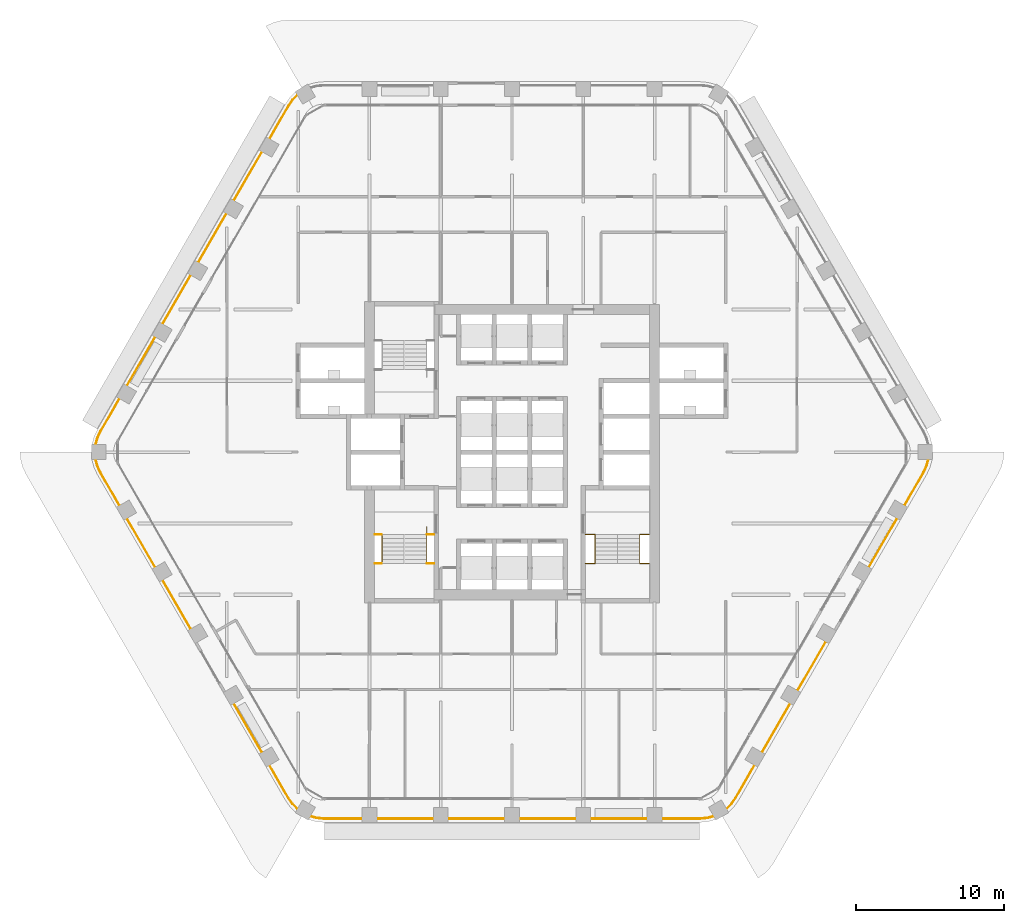
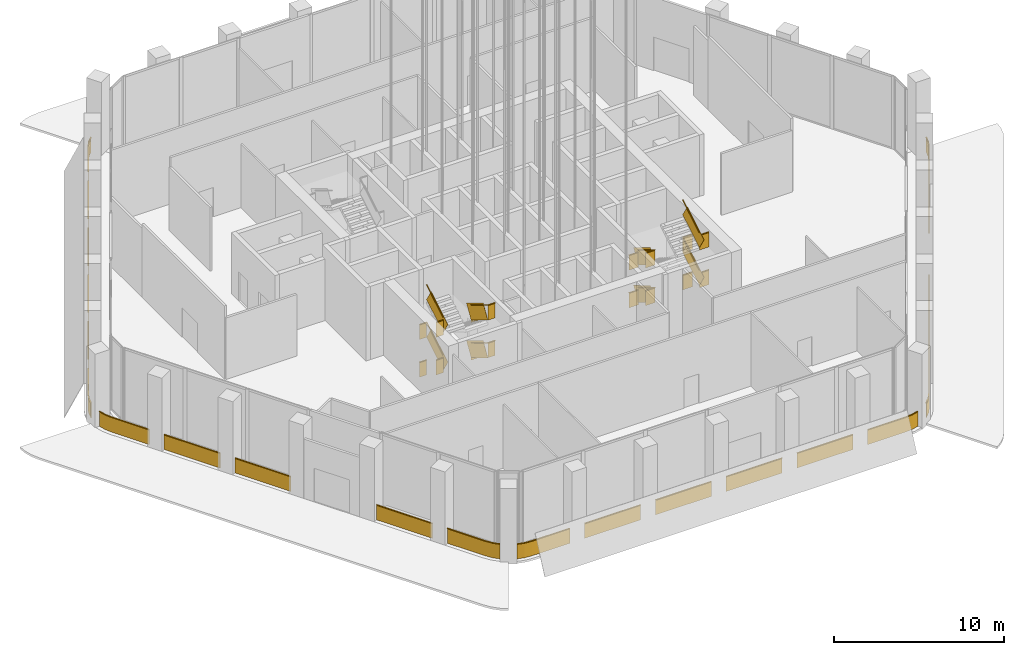
# One storey, part 40 of 42: 8 railings.
"""IFC4 building model written with IfcOpenShell, lengths in metres."""

from ifc_helpers import new_model, si_unit, direction, frame, frame_2d, origin, origin_2d, place, context, subcontext, project, spatial, rectangle, extrude, material, type_object, element, save


model = new_model("IFC4")

# Units and contexts
model_context = context("Model", 3, precision=1e-05, world=origin(), true_north=direction((0.0, 1.0)))
body_context = subcontext(model_context, "Body", "Model", "MODEL_VIEW")
ifc_project = project(units=[si_unit("LENGTHUNIT", "METRE"), si_unit("AREAUNIT", "SQUARE_METRE"), si_unit("VOLUMEUNIT", "CUBIC_METRE"), si_unit("PLANEANGLEUNIT", "RADIAN"), si_unit("MASSUNIT", "GRAM", prefix="KILO")], contexts=[model_context])

# Site, building, storey
site_placement = place(None, origin())
site = spatial("IfcSite", under=ifc_project, at=site_placement, CompositionType="ELEMENT")
building_placement = place(site_placement, origin())
building = spatial("IfcBuilding", under=site, at=building_placement, Name="Kolab Exchange Tower", CompositionType="ELEMENT")
storey_placement = place(building_placement, frame((0.0, 0.0, 133.39990234375)))
storey = spatial("IfcBuildingStorey", under=building, at=storey_placement, Name="L26", CompositionType="ELEMENT", Elevation=133.39990234375)

# Railings
ifc_material_1 = material(Name="Stainless steel 316", Category="steel")
railing_type_1 = type_object("IfcRailingType", Name="GUARD 1100", PredefinedType="GUARDRAIL", material=ifc_material_1)
railing_1_placement = place(storey_placement, frame((-9.25, -5.550048828125, 0.0)))
element("IfcRailing", 1, at=railing_1_placement, inside=storey, type_object=railing_type_1, Name="Guard ST3", PredefinedType="GUARDRAIL", context=body_context, shape_type="SweptSolid", body=[
    extrude(rectangle(XDim=0.05, YDim=0.05, at=origin_2d()), frame((0.0, 0.0, 1.0751953125), z_axis=(1.0, 0.0, 0.0), x_axis=(0.0, 1.0, 0.0)), (0.0, 0.0, 1.0), 0.489990234375),
    extrude(rectangle(XDim=0.012, YDim=1.05009765625, at=frame_2d((0.0, 0.525146484375))), frame((0.0, 0.0, 0.0), z_axis=(1.0, 0.0, 0.0), x_axis=(0.0, 1.0, 0.0)), (0.0, 0.0, 1.0), 0.489990234375),
    extrude(rectangle(XDim=0.05, YDim=0.05, at=origin_2d()), frame((3.510009765625, 0.0, 1.0751953125), z_axis=(1.0, 0.0, 0.0), x_axis=(0.0, 1.0, 0.0)), (0.0, 0.0, 1.0), 0.489990234375),
    extrude(rectangle(XDim=0.012, YDim=1.05009765625, at=frame_2d((0.0, 0.525146484375))), frame((3.510009765625, 0.0, 0.0), z_axis=(1.0, 0.0, 0.0), x_axis=(0.0, 1.0, 0.0)), (0.0, 0.0, 1.0), 0.489990234375),
    extrude(rectangle(XDim=0.05, YDim=0.05, at=origin_2d()), frame((0.0, -1.9599609375, 2.42529296875), z_axis=(1.0, 0.0, 0.0), x_axis=(0.0, 1.0, 0.0)), (0.0, 0.0, 1.0), 0.489990234375),
    extrude(rectangle(XDim=0.012, YDim=1.05009765625, at=frame_2d((0.0, 0.525146484375))), frame((0.0, -1.9599609375, 1.35009765625), z_axis=(1.0, 0.0, 0.0), x_axis=(0.0, 1.0, 0.0)), (0.0, 0.0, 1.0), 0.489990234375),
    extrude(rectangle(XDim=0.05, YDim=0.05, at=origin_2d()), frame((3.510009765625, -1.9599609375, 2.42529296875), z_axis=(1.0, 0.0, 0.0), x_axis=(0.0, 1.0, 0.0)), (0.0, 0.0, 1.0), 0.489990234375),
    extrude(rectangle(XDim=0.012, YDim=1.05009765625, at=frame_2d((0.0, 0.525146484375))), frame((3.510009765625, -1.9599609375, 1.35009765625), z_axis=(1.0, 0.0, 0.0), x_axis=(0.0, 1.0, 0.0)), (0.0, 0.0, 1.0), 0.489990234375),
    extrude(rectangle(XDim=0.05, YDim=0.05, at=origin_2d()), frame((0.0, 0.0, 3.775390625), z_axis=(1.0, 0.0, 0.0), x_axis=(0.0, 1.0, 0.0)), (0.0, 0.0, 1.0), 0.489990234375),
    extrude(rectangle(XDim=0.012, YDim=1.05009765625, at=frame_2d((0.0, 0.525146484375))), frame((0.0, 0.0, 2.7001953125), z_axis=(1.0, 0.0, 0.0), x_axis=(0.0, 1.0, 0.0)), (0.0, 0.0, 1.0), 0.489990234375),
    extrude(rectangle(XDim=0.05, YDim=0.05, at=origin_2d()), frame((3.510009765625, 0.0, 3.775390625), z_axis=(1.0, 0.0, 0.0), x_axis=(0.0, 1.0, 0.0)), (0.0, 0.0, 1.0), 0.489990234375),
    extrude(rectangle(XDim=0.012, YDim=1.05009765625, at=frame_2d((0.0, 0.525146484375))), frame((3.510009765625, 0.0, 2.7001953125), z_axis=(1.0, 0.0, 0.0), x_axis=(0.0, 1.0, 0.0)), (0.0, 0.0, 1.0), 0.489990234375),
    extrude(rectangle(XDim=0.05, YDim=0.05, at=origin_2d()), frame((0.0, -1.9599609375, 5.125244140625), z_axis=(1.0, 0.0, 0.0), x_axis=(0.0, 1.0, 0.0)), (0.0, 0.0, 1.0), 0.489990234375),
    extrude(rectangle(XDim=0.012, YDim=1.05009765625, at=frame_2d((0.0, 0.525146484375))), frame((0.0, -1.9599609375, 4.050048828125), z_axis=(1.0, 0.0, 0.0), x_axis=(0.0, 1.0, 0.0)), (0.0, 0.0, 1.0), 0.489990234375),
    extrude(rectangle(XDim=0.05, YDim=0.05, at=origin_2d()), frame((3.510009765625, -1.9599609375, 5.125244140625), z_axis=(1.0, 0.0, 0.0), x_axis=(0.0, 1.0, 0.0)), (0.0, 0.0, 1.0), 0.489990234375),
    extrude(rectangle(XDim=0.012, YDim=1.05009765625, at=frame_2d((0.0, 0.525146484375))), frame((3.510009765625, -1.9599609375, 4.050048828125), z_axis=(1.0, 0.0, 0.0), x_axis=(0.0, 1.0, 0.0)), (0.0, 0.0, 1.0), 0.489990234375),
])
railing_2_placement = place(storey_placement, frame((-5.739990234375, -5.550048828125, 0.168701171875)))
element("IfcRailing", 2, at=railing_2_placement, inside=storey, type_object=railing_type_1, Name="Handrail guard ST3", PredefinedType="GUARDRAIL", context=body_context, shape_type="SweptSolid", body=[
    extrude(rectangle(XDim=0.05, YDim=0.05, at=origin_2d()), frame((0.0, 0.0, 1.0751953125), z_axis=(0.0, -0.856446297458, 0.516236127728), x_axis=(1.0, 0.0, 0.0)), (0.0, 0.0, 1.0), 2.28857421875),
    extrude(rectangle(XDim=0.012, YDim=1.05009765625, at=frame_2d((0.0, 0.525146484375))), frame((0.0, 0.0, 0.0), z_axis=(0.0, -0.856446297458, 0.516236127728), x_axis=(1.0, 0.0, 0.0)), (0.0, 0.0, 1.0), 2.28857421875),
    extrude(rectangle(XDim=0.05, YDim=0.05, at=origin_2d()), frame((-3.02001953125, -1.9599609375, 2.42529296875), z_axis=(0.0, 0.856446297458, 0.516236127728), x_axis=(-1.0, 0.0, 0.0)), (0.0, 0.0, 1.0), 2.28857421875),
    extrude(rectangle(XDim=0.012, YDim=1.05009765625, at=frame_2d((0.0, 0.525146484375))), frame((-3.02001953125, -1.9599609375, 1.35009765625), z_axis=(0.0, 0.856446297458, 0.516236127728), x_axis=(-1.0, 0.0, 0.0)), (0.0, 0.0, 1.0), 2.28857421875),
    extrude(rectangle(XDim=0.05, YDim=0.05, at=origin_2d()), frame((0.0, 0.0, 3.775390625), z_axis=(0.0, -0.856493463811, 0.516157869696), x_axis=(1.0, 0.0, 0.0)), (0.0, 0.0, 1.0), 2.288330078125),
    extrude(rectangle(XDim=0.012, YDim=1.05009765625, at=frame_2d((0.0, 0.525146484375))), frame((0.0, 0.0, 2.7001953125), z_axis=(0.0, -0.856493463811, 0.516157869696), x_axis=(1.0, 0.0, 0.0)), (0.0, 0.0, 1.0), 2.288330078125),
    extrude(rectangle(XDim=0.05, YDim=0.05, at=origin_2d()), frame((-3.02001953125, -1.9599609375, 5.125244140625), z_axis=(0.0, 0.856446297458, 0.516236127728), x_axis=(-1.0, 0.0, 0.0)), (0.0, 0.0, 1.0), 2.28857421875),
    extrude(rectangle(XDim=0.012, YDim=1.05009765625, at=frame_2d((0.0, 0.525146484375))), frame((-3.02001953125, -1.9599609375, 4.050048828125), z_axis=(0.0, 0.856446297458, 0.516236127728), x_axis=(-1.0, 0.0, 0.0)), (0.0, 0.0, 1.0), 2.28857421875),
])
railing_3_placement = place(storey_placement, frame((4.949951171875, -5.550048828125, 0.0)))
element("IfcRailing", 3, at=railing_3_placement, inside=storey, type_object=railing_type_1, Name="Guard ST2", PredefinedType="GUARDRAIL", context=body_context, shape_type="SweptSolid", body=[
    extrude(rectangle(XDim=0.05, YDim=0.05, at=origin_2d()), frame((0.0, 0.0, 1.0751953125), z_axis=(1.0, 0.0, 0.0), x_axis=(0.0, 1.0, 0.0)), (0.0, 0.0, 1.0), 0.64013671875),
    extrude(rectangle(XDim=0.012, YDim=1.05009765625, at=frame_2d((0.0, 0.525146484375))), frame((0.0, 0.0, 0.0), z_axis=(1.0, 0.0, 0.0), x_axis=(0.0, 1.0, 0.0)), (0.0, 0.0, 1.0), 0.64013671875),
    extrude(rectangle(XDim=0.05, YDim=0.05, at=origin_2d()), frame((3.66015625, 0.0, 1.0751953125), z_axis=(1.0, 0.0, 0.0), x_axis=(0.0, 1.0, 0.0)), (0.0, 0.0, 1.0), 0.639892578125),
    extrude(rectangle(XDim=0.012, YDim=1.05009765625, at=frame_2d((0.0, 0.525146484375))), frame((3.66015625, 0.0, 0.0), z_axis=(1.0, 0.0, 0.0), x_axis=(0.0, 1.0, 0.0)), (0.0, 0.0, 1.0), 0.639892578125),
    extrude(rectangle(XDim=0.05, YDim=0.05, at=origin_2d()), frame((0.0, -1.9599609375, 2.42529296875), z_axis=(1.0, 0.0, 0.0), x_axis=(0.0, 1.0, 0.0)), (0.0, 0.0, 1.0), 0.64013671875),
    extrude(rectangle(XDim=0.012, YDim=1.05009765625, at=frame_2d((0.0, 0.525146484375))), frame((0.0, -1.9599609375, 1.35009765625), z_axis=(1.0, 0.0, 0.0), x_axis=(0.0, 1.0, 0.0)), (0.0, 0.0, 1.0), 0.64013671875),
    extrude(rectangle(XDim=0.05, YDim=0.05, at=origin_2d()), frame((3.66015625, -1.9599609375, 2.42529296875), z_axis=(1.0, 0.0, 0.0), x_axis=(0.0, 1.0, 0.0)), (0.0, 0.0, 1.0), 0.639892578125),
    extrude(rectangle(XDim=0.012, YDim=1.05009765625, at=frame_2d((0.0, 0.525146484375))), frame((3.66015625, -1.9599609375, 1.35009765625), z_axis=(1.0, 0.0, 0.0), x_axis=(0.0, 1.0, 0.0)), (0.0, 0.0, 1.0), 0.639892578125),
    extrude(rectangle(XDim=0.05, YDim=0.05, at=origin_2d()), frame((0.0, 0.0, 3.775390625), z_axis=(1.0, 0.0, 0.0), x_axis=(0.0, 1.0, 0.0)), (0.0, 0.0, 1.0), 0.64013671875),
    extrude(rectangle(XDim=0.012, YDim=1.05009765625, at=frame_2d((0.0, 0.525146484375))), frame((0.0, 0.0, 2.7001953125), z_axis=(1.0, 0.0, 0.0), x_axis=(0.0, 1.0, 0.0)), (0.0, 0.0, 1.0), 0.64013671875),
    extrude(rectangle(XDim=0.05, YDim=0.05, at=origin_2d()), frame((3.66015625, 0.0, 3.775390625), z_axis=(1.0, 0.0, 0.0), x_axis=(0.0, 1.0, 0.0)), (0.0, 0.0, 1.0), 0.639892578125),
    extrude(rectangle(XDim=0.012, YDim=1.05009765625, at=frame_2d((0.0, 0.525146484375))), frame((3.66015625, 0.0, 2.7001953125), z_axis=(1.0, 0.0, 0.0), x_axis=(0.0, 1.0, 0.0)), (0.0, 0.0, 1.0), 0.639892578125),
    extrude(rectangle(XDim=0.05, YDim=0.05, at=origin_2d()), frame((0.0, -1.9599609375, 5.125244140625), z_axis=(1.0, 0.0, 0.0), x_axis=(0.0, 1.0, 0.0)), (0.0, 0.0, 1.0), 0.64013671875),
    extrude(rectangle(XDim=0.012, YDim=1.05009765625, at=frame_2d((0.0, 0.525146484375))), frame((0.0, -1.9599609375, 4.050048828125), z_axis=(1.0, 0.0, 0.0), x_axis=(0.0, 1.0, 0.0)), (0.0, 0.0, 1.0), 0.64013671875),
    extrude(rectangle(XDim=0.05, YDim=0.05, at=origin_2d()), frame((3.66015625, -1.9599609375, 5.125244140625), z_axis=(1.0, 0.0, 0.0), x_axis=(0.0, 1.0, 0.0)), (0.0, 0.0, 1.0), 0.639892578125),
    extrude(rectangle(XDim=0.012, YDim=1.05009765625, at=frame_2d((0.0, 0.525146484375))), frame((3.66015625, -1.9599609375, 4.050048828125), z_axis=(1.0, 0.0, 0.0), x_axis=(0.0, 1.0, 0.0)), (0.0, 0.0, 1.0), 0.639892578125),
])
railing_4_placement = place(storey_placement, frame((5.590087890625, -5.550048828125, 0.168701171875)))
element("IfcRailing", 4, at=railing_4_placement, inside=storey, type_object=railing_type_1, Name="Handrail guard ST2", PredefinedType="GUARDRAIL", context=body_context, shape_type="SweptSolid", body=[
    extrude(rectangle(XDim=0.05, YDim=0.05, at=origin_2d()), frame((0.0, 0.0, 1.0751953125), z_axis=(0.0, -0.856446297458, 0.516236127728), x_axis=(1.0, 0.0, 0.0)), (0.0, 0.0, 1.0), 2.28857421875),
    extrude(rectangle(XDim=0.012, YDim=1.05009765625, at=frame_2d((0.0, 0.525146484375))), frame((0.0, 0.0, 0.0), z_axis=(0.0, -0.856446297458, 0.516236127728), x_axis=(1.0, 0.0, 0.0)), (0.0, 0.0, 1.0), 2.28857421875),
    extrude(rectangle(XDim=0.05, YDim=0.05, at=origin_2d()), frame((3.02001953125, -1.9599609375, 2.42529296875), z_axis=(0.0, 0.856446297458, 0.516236127728), x_axis=(-1.0, 0.0, 0.0)), (0.0, 0.0, 1.0), 2.28857421875),
    extrude(rectangle(XDim=0.012, YDim=1.05009765625, at=frame_2d((0.0, 0.525146484375))), frame((3.02001953125, -1.9599609375, 1.35009765625), z_axis=(0.0, 0.856446297458, 0.516236127728), x_axis=(-1.0, 0.0, 0.0)), (0.0, 0.0, 1.0), 2.28857421875),
    extrude(rectangle(XDim=0.05, YDim=0.05, at=origin_2d()), frame((0.0, 0.0, 3.775390625), z_axis=(0.0, -0.856493463811, 0.516157869696), x_axis=(1.0, 0.0, 0.0)), (0.0, 0.0, 1.0), 2.288330078125),
    extrude(rectangle(XDim=0.012, YDim=1.05009765625, at=frame_2d((0.0, 0.525146484375))), frame((0.0, 0.0, 2.7001953125), z_axis=(0.0, -0.856493463811, 0.516157869696), x_axis=(1.0, 0.0, 0.0)), (0.0, 0.0, 1.0), 2.288330078125),
    extrude(rectangle(XDim=0.05, YDim=0.05, at=origin_2d()), frame((3.02001953125, -1.9599609375, 5.125244140625), z_axis=(0.0, 0.856446297458, 0.516236127728), x_axis=(-1.0, 0.0, 0.0)), (0.0, 0.0, 1.0), 2.28857421875),
    extrude(rectangle(XDim=0.012, YDim=1.05009765625, at=frame_2d((0.0, 0.525146484375))), frame((3.02001953125, -1.9599609375, 4.050048828125), z_axis=(0.0, 0.856446297458, 0.516236127728), x_axis=(-1.0, 0.0, 0.0)), (0.0, 0.0, 1.0), 2.28857421875),
])
ifc_material_2 = material(Name="Steel S235", Category="steel")
railing_type_2 = type_object("IfcRailingType", Name="GUARD 1100 GLASS BALUSTRADE AND STEEL TOP RAIL", PredefinedType="GUARDRAIL", material=ifc_material_2)
railing_5_placement = place(storey_placement, frame((14.4501953125, -24.033447265625, 0.0)))
element("IfcRailing", 5, at=railing_5_placement, inside=storey, type_object=railing_type_2, Name="Guard", PredefinedType="GUARDRAIL", context=body_context, shape_type="SweptSolid", body=[
    extrude(rectangle(XDim=0.05, YDim=0.05, at=origin_2d()), frame((0.0, 0.0, 1.0751953125), z_axis=(0.70737286085, 0.706840601361, 0.0), x_axis=(-0.706840601361, 0.70737286085, 0.0)), (0.0, 0.0, 1.0), 0.458740234375),
    extrude(rectangle(XDim=0.012, YDim=1.05009765625, at=frame_2d((0.0, 0.525146484375))), frame((0.0, 0.0, 0.0), z_axis=(0.70737286085, 0.706840601361, 0.0), x_axis=(-0.706840601361, 0.70737286085, 0.0)), (0.0, 0.0, 1.0), 0.458740234375),
    extrude(rectangle(XDim=0.05, YDim=0.05, at=origin_2d()), frame((0.324462890625, 0.32421875, 1.0751953125), z_axis=(0.573599091554, 0.819136180478, 0.0), x_axis=(-0.819136180478, 0.573599091554, 0.0)), (0.0, 0.0, 1.0), 0.479248046875),
    extrude(rectangle(XDim=0.012, YDim=1.05009765625, at=frame_2d((0.0, 0.525146484375))), frame((0.324462890625, 0.32421875, 0.0), z_axis=(0.573599091554, 0.819136180478, 0.0), x_axis=(-0.819136180478, 0.573599091554, 0.0)), (0.0, 0.0, 1.0), 0.479248046875),
    extrude(rectangle(XDim=0.05, YDim=0.05, at=origin_2d()), frame((0.599365234375, 0.716796875, 1.0751953125), z_axis=(0.499952873616, 0.866052610505, 0.0), x_axis=(-0.866052610505, 0.499952873616, 0.0)), (0.0, 0.0, 1.0), 2.568115234375),
    extrude(rectangle(XDim=0.012, YDim=1.05009765625, at=frame_2d((0.0, 0.525146484375))), frame((0.599365234375, 0.716796875, 0.0), z_axis=(0.499952873616, 0.866052610505, 0.0), x_axis=(-0.866052610505, 0.499952873616, 0.0)), (0.0, 0.0, 1.0), 2.568115234375),
    extrude(rectangle(XDim=0.05, YDim=0.05, at=origin_2d()), frame((2.38330078125, 3.806884765625, 1.0751953125), z_axis=(0.499994975061, 0.866028304915, 0.0), x_axis=(-0.866028304915, 0.499994975061, 0.0)), (0.0, 0.0, 1.0), 3.7998046875),
    extrude(rectangle(XDim=0.012, YDim=1.05009765625, at=frame_2d((0.0, 0.525146484375))), frame((2.38330078125, 3.806884765625, 0.0), z_axis=(0.499994975061, 0.866028304915, 0.0), x_axis=(-0.866028304915, 0.499994975061, 0.0)), (0.0, 0.0, 1.0), 3.7998046875),
    extrude(rectangle(XDim=0.05, YDim=0.05, at=origin_2d()), frame((4.783203125, 7.9638671875, 1.0751953125), z_axis=(0.500043160704, 0.866000483506, 0.0), x_axis=(-0.866000483506, 0.500043160704, 0.0)), (0.0, 0.0, 1.0), 3.800048828125),
    extrude(rectangle(XDim=0.012, YDim=1.05009765625, at=frame_2d((0.0, 0.525146484375))), frame((4.783203125, 7.9638671875, 0.0), z_axis=(0.500043160704, 0.866000483506, 0.0), x_axis=(-0.866000483506, 0.500043160704, 0.0)), (0.0, 0.0, 1.0), 3.800048828125),
    extrude(rectangle(XDim=0.05, YDim=0.05, at=origin_2d()), frame((9.583251953125, 16.277587890625, 1.0751953125), z_axis=(0.500015340139, 0.86601654697, 0.0), x_axis=(-0.86601654697, 0.500015340139, 0.0)), (0.0, 0.0, 1.0), 3.80029296875),
    extrude(rectangle(XDim=0.012, YDim=1.05009765625, at=frame_2d((0.0, 0.525146484375))), frame((9.583251953125, 16.277587890625, 0.0), z_axis=(0.500015340139, 0.86601654697, 0.0), x_axis=(-0.86601654697, 0.500015340139, 0.0)), (0.0, 0.0, 1.0), 3.80029296875),
    extrude(rectangle(XDim=0.05, YDim=0.05, at=origin_2d()), frame((11.9833984375, 20.4345703125, 1.0751953125), z_axis=(0.499994038704, 0.866028845513, 0.0), x_axis=(-0.866028845513, 0.499994038704, 0.0)), (0.0, 0.0, 1.0), 2.56787109375),
    extrude(rectangle(XDim=0.012, YDim=1.05009765625, at=frame_2d((0.0, 0.525146484375))), frame((11.9833984375, 20.4345703125, 0.0), z_axis=(0.499994038704, 0.866028845513, 0.0), x_axis=(-0.866028845513, 0.499994038704, 0.0)), (0.0, 0.0, 1.0), 2.56787109375),
    extrude(rectangle(XDim=0.05, YDim=0.05, at=origin_2d()), frame((13.267333984375, 22.658447265625, 1.0751953125), z_axis=(0.422801802984, 0.906222177721, 0.0), x_axis=(-0.906222177721, 0.422801802984, 0.0)), (0.0, 0.0, 1.0), 0.479248046875),
    extrude(rectangle(XDim=0.012, YDim=1.05009765625, at=frame_2d((0.0, 0.525146484375))), frame((13.267333984375, 22.658447265625, 0.0), z_axis=(0.422801802984, 0.906222177721, 0.0), x_axis=(-0.906222177721, 0.422801802984, 0.0)), (0.0, 0.0, 1.0), 0.479248046875),
    extrude(rectangle(XDim=0.05, YDim=0.05, at=origin_2d()), frame((13.469970703125, 23.0927734375, 1.0751953125), z_axis=(0.25865627591, 0.965969425465, 0.0), x_axis=(-0.965969425465, 0.25865627591, 0.0)), (0.0, 0.0, 1.0), 0.458740234375),
    extrude(rectangle(XDim=0.012, YDim=1.05009765625, at=frame_2d((0.0, 0.525146484375))), frame((13.469970703125, 23.0927734375, 0.0), z_axis=(0.25865627591, 0.965969425465, 0.0), x_axis=(-0.965969425465, 0.25865627591, 0.0)), (0.0, 0.0, 1.0), 0.458740234375),
])
railing_6_placement = place(storey_placement, frame((-13.588623046875, -24.531005859375, 0.0)))
element("IfcRailing", 6, at=railing_6_placement, inside=storey, type_object=railing_type_2, Name="Guard", PredefinedType="GUARDRAIL", context=body_context, shape_type="SweptSolid", body=[
    extrude(rectangle(XDim=0.05, YDim=0.05, at=origin_2d()), frame((0.0, 0.0, 1.0751953125), z_axis=(0.965969425465, -0.25865627591, 0.0), x_axis=(0.25865627591, 0.965969425465, 0.0)), (0.0, 0.0, 1.0), 0.458740234375),
    extrude(rectangle(XDim=0.012, YDim=1.05009765625, at=frame_2d((0.0, 0.525146484375))), frame((0.0, 0.0, 0.0), z_axis=(0.965969425465, -0.25865627591, 0.0), x_axis=(0.25865627591, 0.965969425465, 0.0)), (0.0, 0.0, 1.0), 0.458740234375),
    extrude(rectangle(XDim=0.05, YDim=0.05, at=origin_2d()), frame((0.443115234375, -0.11865234375, 1.0751953125), z_axis=(0.996156034798, -0.087596542937, 0.0), x_axis=(0.087596542937, 0.996156034798, 0.0)), (0.0, 0.0, 1.0), 0.4794921875),
    extrude(rectangle(XDim=0.012, YDim=1.05009765625, at=frame_2d((0.0, 0.525146484375))), frame((0.443115234375, -0.11865234375, 0.0), z_axis=(0.996156034798, -0.087596542937, 0.0), x_axis=(0.087596542937, 0.996156034798, 0.0)), (0.0, 0.0, 1.0), 0.4794921875),
    extrude(rectangle(XDim=0.05, YDim=0.05, at=origin_2d()), frame((0.920654296875, -0.16064453125, 1.0751953125), z_axis=(1.0, 0.0, 0.0), x_axis=(0.0, 1.0, 0.0)), (0.0, 0.0, 1.0), 2.56787109375),
    extrude(rectangle(XDim=0.012, YDim=1.05009765625, at=frame_2d((0.0, 0.525146484375))), frame((0.920654296875, -0.16064453125, 0.0), z_axis=(1.0, 0.0, 0.0), x_axis=(0.0, 1.0, 0.0)), (0.0, 0.0, 1.0), 2.56787109375),
    extrude(rectangle(XDim=0.05, YDim=0.05, at=origin_2d()), frame((4.488525390625, -0.16064453125, 1.0751953125), z_axis=(1.0, 0.0, 0.0), x_axis=(0.0, 1.0, 0.0)), (0.0, 0.0, 1.0), 3.800048828125),
    extrude(rectangle(XDim=0.012, YDim=1.05009765625, at=frame_2d((0.0, 0.525146484375))), frame((4.488525390625, -0.16064453125, 0.0), z_axis=(1.0, 0.0, 0.0), x_axis=(0.0, 1.0, 0.0)), (0.0, 0.0, 1.0), 3.800048828125),
    extrude(rectangle(XDim=0.05, YDim=0.05, at=origin_2d()), frame((9.28857421875, -0.16064453125, 1.0751953125), z_axis=(1.0, 0.0, 0.0), x_axis=(0.0, 1.0, 0.0)), (0.0, 0.0, 1.0), 3.800048828125),
    extrude(rectangle(XDim=0.012, YDim=1.05009765625, at=frame_2d((0.0, 0.525146484375))), frame((9.28857421875, -0.16064453125, 0.0), z_axis=(1.0, 0.0, 0.0), x_axis=(0.0, 1.0, 0.0)), (0.0, 0.0, 1.0), 3.800048828125),
    extrude(rectangle(XDim=0.05, YDim=0.05, at=origin_2d()), frame((14.088623046875, -0.16064453125, 1.0751953125), z_axis=(1.0, 0.0, 0.0), x_axis=(0.0, 1.0, 0.0)), (0.0, 0.0, 1.0), 3.800048828125),
    extrude(rectangle(XDim=0.012, YDim=1.05009765625, at=frame_2d((0.0, 0.525146484375))), frame((14.088623046875, -0.16064453125, 0.0), z_axis=(1.0, 0.0, 0.0), x_axis=(0.0, 1.0, 0.0)), (0.0, 0.0, 1.0), 3.800048828125),
    extrude(rectangle(XDim=0.05, YDim=0.05, at=origin_2d()), frame((18.888671875, -0.16064453125, 1.0751953125), z_axis=(1.0, 0.0, 0.0), x_axis=(0.0, 1.0, 0.0)), (0.0, 0.0, 1.0), 3.800048828125),
    extrude(rectangle(XDim=0.012, YDim=1.05009765625, at=frame_2d((0.0, 0.525146484375))), frame((18.888671875, -0.16064453125, 0.0), z_axis=(1.0, 0.0, 0.0), x_axis=(0.0, 1.0, 0.0)), (0.0, 0.0, 1.0), 3.800048828125),
    extrude(rectangle(XDim=0.05, YDim=0.05, at=origin_2d()), frame((23.688720703125, -0.16064453125, 1.0751953125), z_axis=(1.0, 0.0, 0.0), x_axis=(0.0, 1.0, 0.0)), (0.0, 0.0, 1.0), 2.56787109375),
    extrude(rectangle(XDim=0.012, YDim=1.05009765625, at=frame_2d((0.0, 0.525146484375))), frame((23.688720703125, -0.16064453125, 0.0), z_axis=(1.0, 0.0, 0.0), x_axis=(0.0, 1.0, 0.0)), (0.0, 0.0, 1.0), 2.56787109375),
    extrude(rectangle(XDim=0.05, YDim=0.05, at=origin_2d()), frame((26.256591796875, -0.16064453125, 1.0751953125), z_axis=(0.996156034798, 0.087596542937, 0.0), x_axis=(-0.087596542937, 0.996156034798, 0.0)), (0.0, 0.0, 1.0), 0.4794921875),
    extrude(rectangle(XDim=0.012, YDim=1.05009765625, at=frame_2d((0.0, 0.525146484375))), frame((26.256591796875, -0.16064453125, 0.0), z_axis=(0.996156034798, 0.087596542937, 0.0), x_axis=(-0.087596542937, 0.996156034798, 0.0)), (0.0, 0.0, 1.0), 0.4794921875),
    extrude(rectangle(XDim=0.05, YDim=0.05, at=origin_2d()), frame((26.734130859375, -0.11865234375, 1.0751953125), z_axis=(0.965969425465, 0.25865627591, 0.0), x_axis=(-0.25865627591, 0.965969425465, 0.0)), (0.0, 0.0, 1.0), 0.458740234375),
    extrude(rectangle(XDim=0.012, YDim=1.05009765625, at=frame_2d((0.0, 0.525146484375))), frame((26.734130859375, -0.11865234375, 0.0), z_axis=(0.965969425465, 0.25865627591, 0.0), x_axis=(-0.25865627591, 0.965969425465, 0.0)), (0.0, 0.0, 1.0), 0.458740234375),
])
railing_7_placement = place(storey_placement, frame((-28.038818359375, -0.49755859375, 0.0)))
element("IfcRailing", 7, at=railing_7_placement, inside=storey, type_object=railing_type_2, Name="Guard", PredefinedType="GUARDRAIL", context=body_context, shape_type="SweptSolid", body=[
    extrude(rectangle(XDim=0.05, YDim=0.05, at=origin_2d()), frame((0.0, 0.0, 1.0751953125), z_axis=(0.25865627591, -0.965969425465, 0.0), x_axis=(0.965969425465, 0.25865627591, 0.0)), (0.0, 0.0, 1.0), 0.458740234375),
    extrude(rectangle(XDim=0.012, YDim=1.05009765625, at=frame_2d((0.0, 0.525146484375))), frame((0.0, 0.0, 0.0), z_axis=(0.25865627591, -0.965969425465, 0.0), x_axis=(0.965969425465, 0.25865627591, 0.0)), (0.0, 0.0, 1.0), 0.458740234375),
    extrude(rectangle(XDim=0.05, YDim=0.05, at=origin_2d()), frame((0.11865234375, -0.443115234375, 1.0751953125), z_axis=(0.422801802984, -0.906222177721, 0.0), x_axis=(0.906222177721, 0.422801802984, 0.0)), (0.0, 0.0, 1.0), 0.479248046875),
    extrude(rectangle(XDim=0.012, YDim=1.05009765625, at=frame_2d((0.0, 0.525146484375))), frame((0.11865234375, -0.443115234375, 0.0), z_axis=(0.422801802984, -0.906222177721, 0.0), x_axis=(0.906222177721, 0.422801802984, 0.0)), (0.0, 0.0, 1.0), 0.479248046875),
    extrude(rectangle(XDim=0.05, YDim=0.05, at=origin_2d()), frame((0.3212890625, -0.87744140625, 1.0751953125), z_axis=(0.499994038704, -0.866028845513, 0.0), x_axis=(0.866028845513, 0.499994038704, 0.0)), (0.0, 0.0, 1.0), 2.56787109375),
    extrude(rectangle(XDim=0.012, YDim=1.05009765625, at=frame_2d((0.0, 0.525146484375))), frame((0.3212890625, -0.87744140625, 0.0), z_axis=(0.499994038704, -0.866028845513, 0.0), x_axis=(0.866028845513, 0.499994038704, 0.0)), (0.0, 0.0, 1.0), 2.56787109375),
    extrude(rectangle(XDim=0.05, YDim=0.05, at=origin_2d()), frame((2.105224609375, -3.96728515625, 1.0751953125), z_axis=(0.500015340139, -0.86601654697, 0.0), x_axis=(0.86601654697, 0.500015340139, 0.0)), (0.0, 0.0, 1.0), 3.80029296875),
    extrude(rectangle(XDim=0.012, YDim=1.05009765625, at=frame_2d((0.0, 0.525146484375))), frame((2.105224609375, -3.96728515625, 0.0), z_axis=(0.500015340139, -0.86601654697, 0.0), x_axis=(0.86601654697, 0.500015340139, 0.0)), (0.0, 0.0, 1.0), 3.80029296875),
    extrude(rectangle(XDim=0.05, YDim=0.05, at=origin_2d()), frame((4.50537109375, -8.124267578125, 1.0751953125), z_axis=(0.499967155389, -0.866044365799, 0.0), x_axis=(0.866044365799, 0.499967155389, 0.0)), (0.0, 0.0, 1.0), 3.800048828125),
    extrude(rectangle(XDim=0.012, YDim=1.05009765625, at=frame_2d((0.0, 0.525146484375))), frame((4.50537109375, -8.124267578125, 0.0), z_axis=(0.499967155389, -0.866044365799, 0.0), x_axis=(0.866044365799, 0.499967155389, 0.0)), (0.0, 0.0, 1.0), 3.800048828125),
    extrude(rectangle(XDim=0.05, YDim=0.05, at=origin_2d()), frame((9.305419921875, -16.438232421875, 1.0751953125), z_axis=(0.499994975061, -0.866028304915, 0.0), x_axis=(0.866028304915, 0.499994975061, 0.0)), (0.0, 0.0, 1.0), 3.7998046875),
    extrude(rectangle(XDim=0.012, YDim=1.05009765625, at=frame_2d((0.0, 0.525146484375))), frame((9.305419921875, -16.438232421875, 0.0), z_axis=(0.499994975061, -0.866028304915, 0.0), x_axis=(0.866028304915, 0.499994975061, 0.0)), (0.0, 0.0, 1.0), 3.7998046875),
    extrude(rectangle(XDim=0.05, YDim=0.05, at=origin_2d()), frame((11.705322265625, -20.594970703125, 1.0751953125), z_axis=(0.499952873616, -0.866052610505, 0.0), x_axis=(0.866052610505, 0.499952873616, 0.0)), (0.0, 0.0, 1.0), 2.568115234375),
    extrude(rectangle(XDim=0.012, YDim=1.05009765625, at=frame_2d((0.0, 0.525146484375))), frame((11.705322265625, -20.594970703125, 0.0), z_axis=(0.499952873616, -0.866052610505, 0.0), x_axis=(0.866052610505, 0.499952873616, 0.0)), (0.0, 0.0, 1.0), 2.568115234375),
    extrude(rectangle(XDim=0.05, YDim=0.05, at=origin_2d()), frame((12.9892578125, -22.819091796875, 1.0751953125), z_axis=(0.573599091554, -0.819136180478, 0.0), x_axis=(0.819136180478, 0.573599091554, 0.0)), (0.0, 0.0, 1.0), 0.479248046875),
    extrude(rectangle(XDim=0.012, YDim=1.05009765625, at=frame_2d((0.0, 0.525146484375))), frame((12.9892578125, -22.819091796875, 0.0), z_axis=(0.573599091554, -0.819136180478, 0.0), x_axis=(0.819136180478, 0.573599091554, 0.0)), (0.0, 0.0, 1.0), 0.479248046875),
    extrude(rectangle(XDim=0.05, YDim=0.05, at=origin_2d()), frame((13.26416015625, -23.211669921875, 1.0751953125), z_axis=(0.70737286085, -0.706840601361, 0.0), x_axis=(0.706840601361, 0.70737286085, 0.0)), (0.0, 0.0, 1.0), 0.458740234375),
    extrude(rectangle(XDim=0.012, YDim=1.05009765625, at=frame_2d((0.0, 0.525146484375))), frame((13.26416015625, -23.211669921875, 0.0), z_axis=(0.70737286085, -0.706840601361, 0.0), x_axis=(0.706840601361, 0.70737286085, 0.0)), (0.0, 0.0, 1.0), 0.458740234375),
])
railing_8_placement = place(storey_placement, frame((-14.4501953125, 24.033447265625, 0.0)))
element("IfcRailing", 8, at=railing_8_placement, inside=storey, type_object=railing_type_2, Name="Guard", PredefinedType="GUARDRAIL", context=body_context, shape_type="SweptSolid", body=[
    extrude(rectangle(XDim=0.05, YDim=0.05, at=origin_2d()), frame((0.0, 0.0, 1.0751953125), z_axis=(-0.70737286085, -0.706840601361, 0.0), x_axis=(0.706840601361, -0.70737286085, 0.0)), (0.0, 0.0, 1.0), 0.458740234375),
    extrude(rectangle(XDim=0.012, YDim=1.05009765625, at=frame_2d((0.0, 0.525146484375))), frame((0.0, 0.0, 0.0), z_axis=(-0.70737286085, -0.706840601361, 0.0), x_axis=(0.706840601361, -0.70737286085, 0.0)), (0.0, 0.0, 1.0), 0.458740234375),
    extrude(rectangle(XDim=0.05, YDim=0.05, at=origin_2d()), frame((-0.324462890625, -0.32421875, 1.0751953125), z_axis=(-0.573599091554, -0.819136180478, 0.0), x_axis=(0.819136180478, -0.573599091554, 0.0)), (0.0, 0.0, 1.0), 0.479248046875),
    extrude(rectangle(XDim=0.012, YDim=1.05009765625, at=frame_2d((0.0, 0.525146484375))), frame((-0.324462890625, -0.32421875, 0.0), z_axis=(-0.573599091554, -0.819136180478, 0.0), x_axis=(0.819136180478, -0.573599091554, 0.0)), (0.0, 0.0, 1.0), 0.479248046875),
    extrude(rectangle(XDim=0.05, YDim=0.05, at=origin_2d()), frame((-0.599365234375, -0.716796875, 1.0751953125), z_axis=(-0.499952873616, -0.866052610505, 0.0), x_axis=(0.866052610505, -0.499952873616, 0.0)), (0.0, 0.0, 1.0), 2.568115234375),
    extrude(rectangle(XDim=0.012, YDim=1.05009765625, at=frame_2d((0.0, 0.525146484375))), frame((-0.599365234375, -0.716796875, 0.0), z_axis=(-0.499952873616, -0.866052610505, 0.0), x_axis=(0.866052610505, -0.499952873616, 0.0)), (0.0, 0.0, 1.0), 2.568115234375),
    extrude(rectangle(XDim=0.05, YDim=0.05, at=origin_2d()), frame((-2.38330078125, -3.806884765625, 1.0751953125), z_axis=(-0.499994975061, -0.866028304915, 0.0), x_axis=(0.866028304915, -0.499994975061, 0.0)), (0.0, 0.0, 1.0), 3.7998046875),
    extrude(rectangle(XDim=0.012, YDim=1.05009765625, at=frame_2d((0.0, 0.525146484375))), frame((-2.38330078125, -3.806884765625, 0.0), z_axis=(-0.499994975061, -0.866028304915, 0.0), x_axis=(0.866028304915, -0.499994975061, 0.0)), (0.0, 0.0, 1.0), 3.7998046875),
    extrude(rectangle(XDim=0.05, YDim=0.05, at=origin_2d()), frame((-4.783203125, -7.9638671875, 1.0751953125), z_axis=(-0.500043160704, -0.866000483506, 0.0), x_axis=(0.866000483506, -0.500043160704, 0.0)), (0.0, 0.0, 1.0), 3.800048828125),
    extrude(rectangle(XDim=0.012, YDim=1.05009765625, at=frame_2d((0.0, 0.525146484375))), frame((-4.783203125, -7.9638671875, 0.0), z_axis=(-0.500043160704, -0.866000483506, 0.0), x_axis=(0.866000483506, -0.500043160704, 0.0)), (0.0, 0.0, 1.0), 3.800048828125),
    extrude(rectangle(XDim=0.05, YDim=0.05, at=origin_2d()), frame((-7.183349609375, -12.12060546875, 1.0751953125), z_axis=(-0.499967155389, -0.866044365799, 0.0), x_axis=(0.866044365799, -0.499967155389, 0.0)), (0.0, 0.0, 1.0), 3.800048828125),
    extrude(rectangle(XDim=0.012, YDim=1.05009765625, at=frame_2d((0.0, 0.525146484375))), frame((-7.183349609375, -12.12060546875, 0.0), z_axis=(-0.499967155389, -0.866044365799, 0.0), x_axis=(0.866044365799, -0.499967155389, 0.0)), (0.0, 0.0, 1.0), 3.800048828125),
    extrude(rectangle(XDim=0.05, YDim=0.05, at=origin_2d()), frame((-9.583251953125, -16.277587890625, 1.0751953125), z_axis=(-0.500015340139, -0.86601654697, 0.0), x_axis=(0.86601654697, -0.500015340139, 0.0)), (0.0, 0.0, 1.0), 3.80029296875),
    extrude(rectangle(XDim=0.012, YDim=1.05009765625, at=frame_2d((0.0, 0.525146484375))), frame((-9.583251953125, -16.277587890625, 0.0), z_axis=(-0.500015340139, -0.86601654697, 0.0), x_axis=(0.86601654697, -0.500015340139, 0.0)), (0.0, 0.0, 1.0), 3.80029296875),
    extrude(rectangle(XDim=0.05, YDim=0.05, at=origin_2d()), frame((-11.9833984375, -20.4345703125, 1.0751953125), z_axis=(-0.499994038704, -0.866028845513, 0.0), x_axis=(0.866028845513, -0.499994038704, 0.0)), (0.0, 0.0, 1.0), 2.56787109375),
    extrude(rectangle(XDim=0.012, YDim=1.05009765625, at=frame_2d((0.0, 0.525146484375))), frame((-11.9833984375, -20.4345703125, 0.0), z_axis=(-0.499994038704, -0.866028845513, 0.0), x_axis=(0.866028845513, -0.499994038704, 0.0)), (0.0, 0.0, 1.0), 2.56787109375),
    extrude(rectangle(XDim=0.05, YDim=0.05, at=origin_2d()), frame((-13.267333984375, -22.658447265625, 1.0751953125), z_axis=(-0.422801802984, -0.906222177721, 0.0), x_axis=(0.906222177721, -0.422801802984, 0.0)), (0.0, 0.0, 1.0), 0.479248046875),
    extrude(rectangle(XDim=0.012, YDim=1.05009765625, at=frame_2d((0.0, 0.525146484375))), frame((-13.267333984375, -22.658447265625, 0.0), z_axis=(-0.422801802984, -0.906222177721, 0.0), x_axis=(0.906222177721, -0.422801802984, 0.0)), (0.0, 0.0, 1.0), 0.479248046875),
    extrude(rectangle(XDim=0.05, YDim=0.05, at=origin_2d()), frame((-13.469970703125, -23.0927734375, 1.0751953125), z_axis=(-0.25865627591, -0.965969425465, 0.0), x_axis=(0.965969425465, -0.25865627591, 0.0)), (0.0, 0.0, 1.0), 0.458740234375),
    extrude(rectangle(XDim=0.012, YDim=1.05009765625, at=frame_2d((0.0, 0.525146484375))), frame((-13.469970703125, -23.0927734375, 0.0), z_axis=(-0.25865627591, -0.965969425465, 0.0), x_axis=(0.965969425465, -0.25865627591, 0.0)), (0.0, 0.0, 1.0), 0.458740234375),
])

save(model, "model.ifc")
